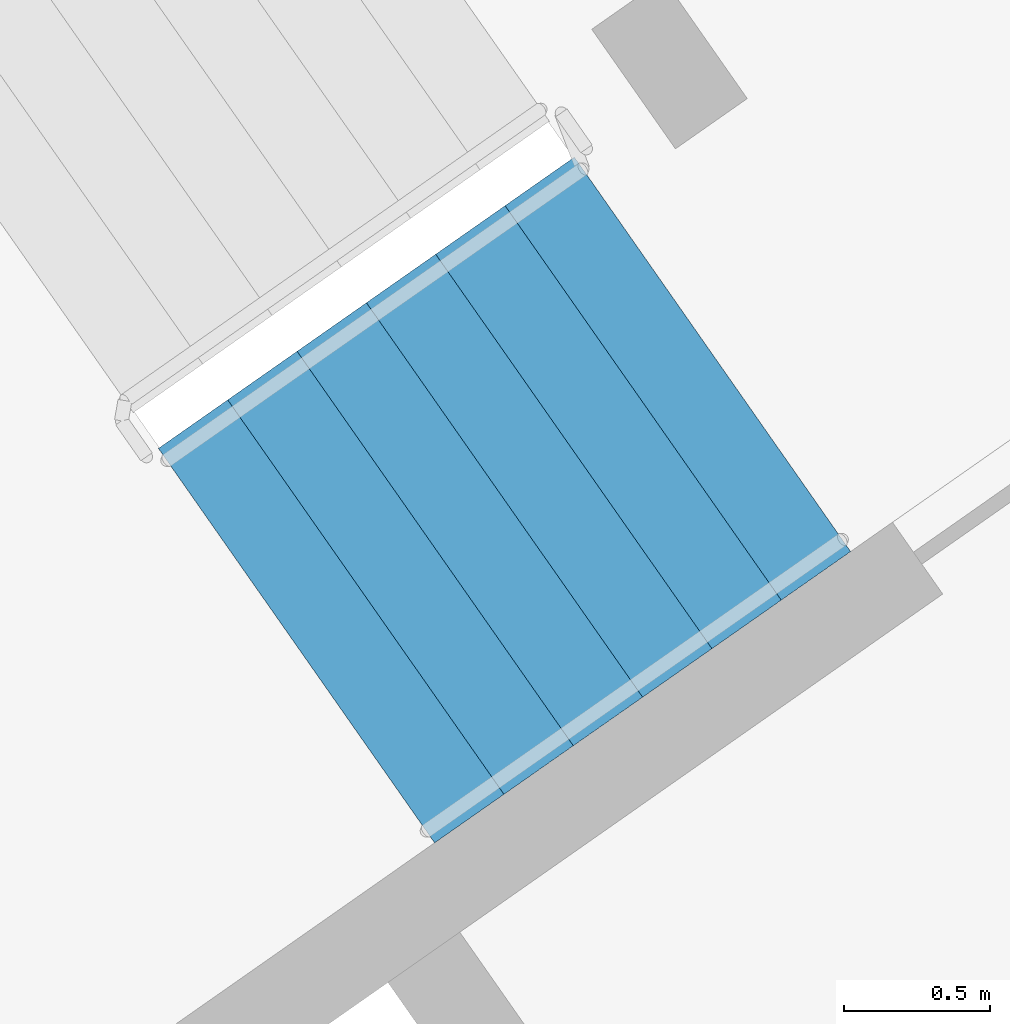
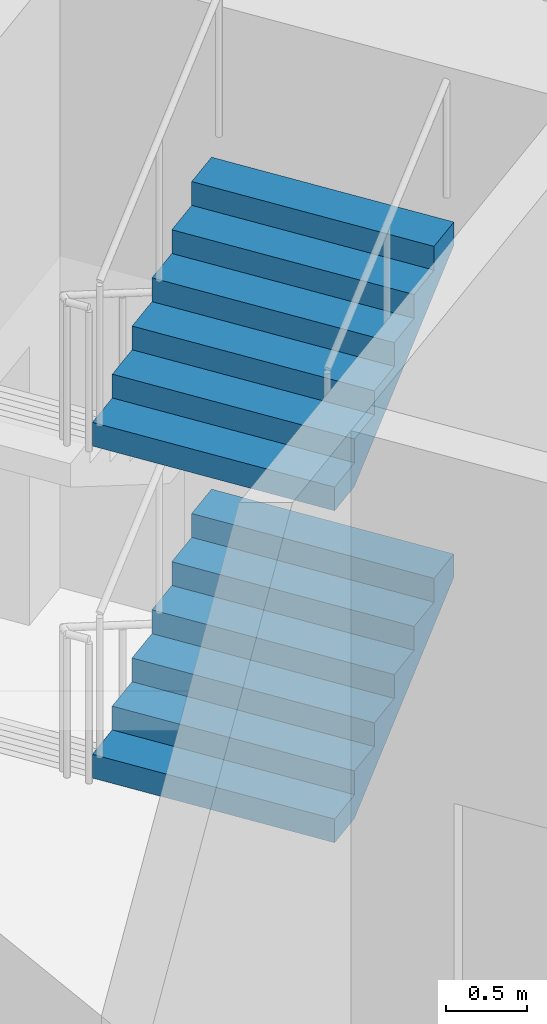
# One storey, part 17 of 25: 2 stair flights, 1 element without a shape of its own.
"""IFC4 building model written with IfcOpenShell, lengths in metres."""

import ifcopenshell
import ifcopenshell.guid

model = None  # the IFC model being written
_history = None  # IfcOwnerHistory: only IFC2X3 demands one
_inside = {}  # id of a spatial element -> (the spatial element, [elements in it])
_under = {}  # id of a project, library or spatial element -> (it, [spatial elements below it])
_declared = {}  # id of a project -> (the project, [libraries it declares])
_typed = {}  # id of a type object -> (the type object, [elements of that type])
_made_of = {}  # id of a material, layer set ... -> (it, [elements and type objects made of it])


def new_model(schema):
    """Start an empty IFC model of exactly this schema.

    Asked for "IFC4X3", IfcOpenShell would pick the latest addendum, in which some entities
    have other attributes; the version numbers below select the first issue.
    IFC2X3 requires an IfcOwnerHistory on every rooted entity: one is made here for all.
    """
    global model, _history
    if schema == "IFC4X3":
        model = ifcopenshell.file(schema_version=(4, 3, 0, 0))
    else:
        model = ifcopenshell.file(schema=schema)
    _inside.clear()
    _under.clear()
    _declared.clear()
    _typed.clear()
    _made_of.clear()
    _history = None
    if model.schema == "IFC2X3":
        org = make("IfcOrganization", Name="unknown")
        user = make(
            "IfcPersonAndOrganization",
            ThePerson=make("IfcPerson", FamilyName="unknown"),
            TheOrganization=org,
        )
        app = make(
            "IfcApplication",
            ApplicationDeveloper=org,
            Version="unknown",
            ApplicationFullName="unknown",
            ApplicationIdentifier="unknown",
        )
        _history = make(
            "IfcOwnerHistory",
            OwningUser=user,
            OwningApplication=app,
            ChangeAction="ADDED",
            CreationDate=0,
        )
    return model


def make(cls, **values):
    """One entity of the class cls with the attributes given. An attribute that is None is left unset."""
    return model.create_entity(
        cls, **{name: value for name, value in values.items() if value is not None}
    )


def rooted(cls, **values):
    """An entity with a GlobalId (a new one), such as an element, a storey or a relation."""
    return make(cls, GlobalId=ifcopenshell.guid.new(), OwnerHistory=_history, **values)


def si_unit(unit_type, name, prefix=None):
    """IfcSIUnit, for example si_unit("LENGTHUNIT", "METRE", prefix="MILLI")."""
    return make("IfcSIUnit", UnitType=unit_type, Prefix=prefix, Name=name)


def assignment(units):
    """IfcUnitAssignment: the units of a project."""
    return None if units is None else make("IfcUnitAssignment", Units=units)


def point(xyz):
    """IfcCartesianPoint."""
    return None if xyz is None else make("IfcCartesianPoint", Coordinates=xyz)


def direction(xyz):
    """IfcDirection."""
    return None if xyz is None else make("IfcDirection", DirectionRatios=xyz)


def frame(location, z_axis=None, x_axis=None):
    """IfcAxis2Placement3D, a coordinate frame: its origin and axes. An axis left out is left unset."""
    return make(
        "IfcAxis2Placement3D",
        Location=point(location),
        Axis=direction(z_axis),
        RefDirection=direction(x_axis),
    )


def origin():
    """The frame at (0, 0, 0) with its axes left unset."""
    return frame((0.0, 0.0, 0.0))


def place(relative_to, where):
    """IfcLocalPlacement: puts the frame where relative to a parent placement (None: the world)."""
    return make(
        "IfcLocalPlacement", PlacementRelTo=relative_to, RelativePlacement=where
    )


def context(
    kind, dimensions, precision=None, world=None, true_north=None, identifier=None
):
    """IfcGeometricRepresentationContext, for example the 3D "Model" context."""
    return make(
        "IfcGeometricRepresentationContext",
        ContextIdentifier=identifier,
        ContextType=kind,
        CoordinateSpaceDimension=dimensions,
        Precision=precision,
        WorldCoordinateSystem=world,
        TrueNorth=true_north,
    )


def subcontext(parent, identifier, kind, view, scale=None):
    """IfcGeometricRepresentationSubContext, for example "Body" below "Model"."""
    return make(
        "IfcGeometricRepresentationSubContext",
        ContextIdentifier=identifier,
        ContextType=kind,
        ParentContext=parent,
        TargetScale=scale,
        TargetView=view,
    )


def project(units=None, contexts=None):
    """IfcProject with its units and contexts."""
    return rooted(
        "IfcProject",
        Name="project",
        RepresentationContexts=contexts,
        UnitsInContext=assignment(units),
    )


def spatial(cls, under=None, at=None, **own):
    """A site, building, storey or space (cls), placed at a placement, below another one or the project."""
    s = rooted(cls, ObjectPlacement=at, **own)
    if under is not None:
        _under.setdefault(under.id(), (under, []))[1].append(s)
    return s


def faces_of(points, faces, orient=None, outer=None):
    """IfcFace entities. A face is a list of loops; a loop is a list of indices into points, from 0.

    orient and outer hold one flag for each loop. By default every Orientation is true, the
    first loop of a face is its IfcFaceOuterBound and the others are IfcFaceBound.
    """
    made = []
    for i, loops in enumerate(faces):
        bounds = []
        for j, loop in enumerate(loops):
            is_outer = j == 0 if outer is None else outer[i][j]
            bounds.append(
                make(
                    "IfcFaceOuterBound" if is_outer else "IfcFaceBound",
                    Bound=make("IfcPolyLoop", Polygon=[points[k] for k in loop]),
                    Orientation=True if orient is None else orient[i][j],
                )
            )
        made.append(make("IfcFace", Bounds=bounds))
    return made


def faceted_brep(points, faces, orient=None, outer=None, voids=None):
    """IfcFacetedBrep: a solid bounded by flat faces; with voids (closed shells), ...WithVoids."""
    shared = [point(p) for p in points]
    hull = make("IfcClosedShell", CfsFaces=faces_of(shared, faces, orient, outer))
    if voids is None:
        return make("IfcFacetedBrep", Outer=hull)
    return make(
        "IfcFacetedBrepWithVoids",
        Outer=hull,
        Voids=[
            make(cls, CfsFaces=faces_of(shared, fs, o, b)) for cls, fs, o, b in voids
        ],
    )


def shape(context_of_items, identifier, shape_type, items):
    """IfcShapeRepresentation: the items that make up one representation, for example the "Body"."""
    return make(
        "IfcShapeRepresentation",
        ContextOfItems=context_of_items,
        RepresentationIdentifier=identifier,
        RepresentationType=shape_type,
        Items=items,
    )


def material(Name=None, Category=None):
    """IfcMaterial."""
    return make("IfcMaterial", Name=Name, Category=Category)


def made_of(thing, what):
    """Note that an element or type object is made of a material, layer set ...; save() writes the relation."""
    if what is not None:
        _made_of.setdefault(what.id(), (what, []))[1].append(thing)
    return thing


def type_object(cls, material=None, **own):
    """A type object (cls), such as IfcWallType, which elements share."""
    return made_of(rooted(cls, **own), material)


def element(
    cls,
    number,
    at=None,
    inside=None,
    cuts=None,
    type_object=None,
    material=None,
    context=None,
    identifier="Body",
    shape_type=None,
    held_by="IfcProductDefinitionShape",
    body=None,
    shapes=None,
    **own,
):
    """One element of the class cls, such as IfcWall. Its Tag is "e" and its number.

    at: its placement. inside: the storey or other place that contains it. cuts: it is an
    opening in that element (IfcRelVoidsElement). A single representation is given by context,
    identifier, shape_type and body (its items); several are given by shapes. held_by: the class
    of the entity that holds the representations. save() writes the other relations.
    """
    e = rooted(cls, Tag="e%d" % number, ObjectPlacement=at, **own)
    if body is not None:
        shapes = [shape(context, identifier, shape_type, body)]
    if shapes is not None:
        e.Representation = make(held_by, Representations=shapes)
    if inside is not None:
        _inside.setdefault(inside.id(), (inside, []))[1].append(e)
    if cuts is not None:
        rooted(
            "IfcRelVoidsElement", RelatingBuildingElement=cuts, RelatedOpeningElement=e
        )
    if type_object is not None:
        _typed.setdefault(type_object.id(), (type_object, []))[1].append(e)
    return made_of(e, material)


def aggregate(whole, parts):
    """IfcRelAggregates: a whole, such as a stair, and the parts it consists of."""
    return rooted("IfcRelAggregates", RelatingObject=whole, RelatedObjects=parts)


def save(model, path):
    """Write the relations noted so far, then the file.

    IfcRelAggregates (storeys below a building ...), IfcRelContainedInSpatialStructure (elements
    in a storey), IfcRelDefinesByType, IfcRelAssociatesMaterial and IfcRelDeclares: one each for
    every whole, place, type object, material and project.
    """
    for whole, parts in _under.values():
        aggregate(whole, parts)
    for where, things in _inside.values():
        rooted(
            "IfcRelContainedInSpatialStructure",
            RelatedElements=things,
            RelatingStructure=where,
        )
    for kind, things in _typed.values():
        rooted("IfcRelDefinesByType", RelatedObjects=things, RelatingType=kind)
    for what, things in _made_of.values():
        rooted("IfcRelAssociatesMaterial", RelatedObjects=things, RelatingMaterial=what)
    for by, libraries in _declared.values():
        rooted("IfcRelDeclares", RelatingContext=by, RelatedDefinitions=libraries)
    model.write(path)


model = new_model("IFC4")

# Units and contexts
model_context = context("Model", 3, precision=1e-05, world=origin(), true_north=direction((0.0, 1.0)))
body_context = subcontext(model_context, "Body", "Model", "MODEL_VIEW")
ifc_project = project(units=[si_unit("LENGTHUNIT", "METRE"), si_unit("AREAUNIT", "SQUARE_METRE"), si_unit("VOLUMEUNIT", "CUBIC_METRE"), si_unit("PLANEANGLEUNIT", "RADIAN"), si_unit("MASSUNIT", "GRAM", prefix="KILO")], contexts=[model_context])

# Site, building, storey
site_placement = place(None, origin())
site = spatial("IfcSite", under=ifc_project, at=site_placement, CompositionType="ELEMENT")
building_placement = place(site_placement, origin())
building = spatial("IfcBuilding", under=site, at=building_placement, Name="Qamariyya Broadcast Tower", CompositionType="ELEMENT")
storey_placement = place(building_placement, frame((0.0, 0.0, 89.89990234375)))
storey = spatial("IfcBuildingStorey", under=building, at=storey_placement, Name="L19", CompositionType="ELEMENT", Elevation=89.89990234375)

# Stair, stair flights
ifc_material = material(Name="Concrete C50/60", Category="concrete")
stair_type = type_object("IfcStairType", Name="Exit stair 28 risers of 179 mm", PredefinedType="HALF_TURN_STAIR", material=ifc_material)
stair_placement = place(storey_placement, origin())
stair = element("IfcStair", 1, at=stair_placement, inside=storey, type_object=stair_type, Name="L19 Stair E2", PredefinedType="HALF_TURN_STAIR")
stair_flight_type = type_object("IfcStairFlightType", Name="Exit stair flight 7 risers of 179 mm", PredefinedType="STRAIGHT", material=ifc_material)
stair_flight_1_placement = place(storey_placement, frame((40.165771484375, -50.15771484375, 1.25), z_axis=(0.0, 0.0, 1.0), x_axis=(0.819152044289, 0.573576436351, 0.0)))
stair_flight_1 = element("IfcStairFlight", 2, at=stair_flight_1_placement, type_object=stair_flight_type, Name="ST-E2 flight 2", NumberOfRisers=7, NumberOfTreads=6, PredefinedType="STRAIGHT", RiserHeight=0.178571429, TreadLength=0.29, context=body_context, shape_type="Brep", body=[
    faceted_brep([(0.0, 0.824951171875, 0.0), (0.0, 0.824951171875, 0.178466796875), (0.2900390625, 0.824951171875, 0.178466796875), (0.2900390625, 0.824951171875, 0.357177734375), (0.580078125, 0.824951171875, 0.357177734375), (0.580078125, 0.824951171875, 0.53564453125), (0.8701171875, 0.824951171875, 0.53564453125), (0.8701171875, 0.824951171875, 0.71435546875), (1.159912109375, 0.824951171875, 0.71435546875), (1.159912109375, 0.824951171875, 0.892822265625), (1.449951171875, 0.824951171875, 0.892822265625), (1.449951171875, 0.824951171875, 1.071533203125), (1.739990234375, 0.824951171875, 1.071533203125), (1.739990234375, 0.824951171875, 0.8955078125), (0.285888671875, 0.824951171875, 0.0), (0.285888671875, -0.824951171875, 0.0), (1.739990234375, -0.824951171875, 0.8955078125), (1.739990234375, -0.824951171875, 1.071533203125), (1.449951171875, -0.824951171875, 1.071533203125), (1.449951171875, -0.824951171875, 0.892822265625), (1.159912109375, -0.824951171875, 0.892822265625), (1.159912109375, -0.824951171875, 0.71435546875), (0.8701171875, -0.824951171875, 0.71435546875), (0.8701171875, -0.824951171875, 0.53564453125), (0.580078125, -0.824951171875, 0.53564453125), (0.580078125, -0.824951171875, 0.357177734375), (0.2900390625, -0.824951171875, 0.357177734375), (0.2900390625, -0.824951171875, 0.178466796875), (0.0, -0.824951171875, 0.178466796875), (0.0, -0.824951171875, 0.0), (0.0, 0.10009765625, 0.0), (0.0, 0.086669921875, 0.0), (0.0, 0.0732421875, 0.0), (0.0, 0.06005859375, 0.0), (0.0, 0.046630859375, 0.0), (0.0, 0.033447265625, 0.0), (0.0, 0.02001953125, 0.0), (0.0, 0.006591796875, 0.0), (0.0, -0.006591796875, 0.0), (0.0, -0.02001953125, 0.0), (0.0, -0.033447265625, 0.0), (0.0, -0.046630859375, 0.0), (0.0, -0.06005859375, 0.0), (0.0, -0.0732421875, 0.0), (0.0, -0.086669921875, 0.0), (0.0, -0.10009765625, 0.0), (0.0, -0.10009765625, 0.178466796875), (0.0, -0.086669921875, 0.178466796875), (0.0, -0.0732421875, 0.178466796875), (0.0, -0.06005859375, 0.178466796875), (0.0, -0.046630859375, 0.178466796875), (0.0, -0.033447265625, 0.178466796875), (0.0, -0.02001953125, 0.178466796875), (0.0, -0.006591796875, 0.178466796875), (0.0, 0.006591796875, 0.178466796875), (0.0, 0.02001953125, 0.178466796875), (0.0, 0.033447265625, 0.178466796875), (0.0, 0.046630859375, 0.178466796875), (0.0, 0.06005859375, 0.178466796875), (0.0, 0.0732421875, 0.178466796875), (0.0, 0.086669921875, 0.178466796875), (0.0, 0.10009765625, 0.178466796875), (0.2900390625, -0.10009765625, 0.178466796875), (0.2900390625, -0.086669921875, 0.178466796875), (0.2900390625, -0.0732421875, 0.178466796875), (0.2900390625, -0.06005859375, 0.178466796875), (0.2900390625, -0.046630859375, 0.178466796875), (0.2900390625, -0.033447265625, 0.178466796875), (0.2900390625, -0.02001953125, 0.178466796875), (0.2900390625, -0.006591796875, 0.178466796875), (0.2900390625, 0.006591796875, 0.178466796875), (0.2900390625, 0.02001953125, 0.178466796875), (0.2900390625, 0.033447265625, 0.178466796875), (0.2900390625, 0.046630859375, 0.178466796875), (0.2900390625, 0.06005859375, 0.178466796875), (0.2900390625, 0.0732421875, 0.178466796875), (0.2900390625, 0.086669921875, 0.178466796875), (0.2900390625, 0.10009765625, 0.178466796875), (0.2900390625, -0.10009765625, 0.357177734375), (0.2900390625, -0.086669921875, 0.357177734375), (0.2900390625, -0.0732421875, 0.357177734375), (0.2900390625, -0.06005859375, 0.357177734375), (0.2900390625, -0.046630859375, 0.357177734375), (0.2900390625, -0.033447265625, 0.357177734375), (0.2900390625, -0.02001953125, 0.357177734375), (0.2900390625, -0.006591796875, 0.357177734375), (0.2900390625, 0.006591796875, 0.357177734375), (0.2900390625, 0.02001953125, 0.357177734375), (0.2900390625, 0.033447265625, 0.357177734375), (0.2900390625, 0.046630859375, 0.357177734375), (0.2900390625, 0.06005859375, 0.357177734375), (0.2900390625, 0.0732421875, 0.357177734375), (0.2900390625, 0.086669921875, 0.357177734375), (0.2900390625, 0.10009765625, 0.357177734375), (0.580078125, -0.10009765625, 0.357177734375), (0.580078125, -0.086669921875, 0.357177734375), (0.580078125, -0.0732421875, 0.357177734375), (0.580078125, -0.06005859375, 0.357177734375), (0.580078125, -0.046630859375, 0.357177734375), (0.580078125, -0.033447265625, 0.357177734375), (0.580078125, -0.02001953125, 0.357177734375), (0.580078125, -0.006591796875, 0.357177734375), (0.580078125, 0.006591796875, 0.357177734375), (0.580078125, 0.02001953125, 0.357177734375), (0.580078125, 0.033447265625, 0.357177734375), (0.580078125, 0.046630859375, 0.357177734375), (0.580078125, 0.06005859375, 0.357177734375), (0.580078125, 0.0732421875, 0.357177734375), (0.580078125, 0.086669921875, 0.357177734375), (0.580078125, 0.10009765625, 0.357177734375), (0.580078125, -0.10009765625, 0.53564453125), (0.580078125, -0.086669921875, 0.53564453125), (0.580078125, -0.0732421875, 0.53564453125), (0.580078125, -0.06005859375, 0.53564453125), (0.580078125, -0.046630859375, 0.53564453125), (0.580078125, -0.033447265625, 0.53564453125), (0.580078125, -0.02001953125, 0.53564453125), (0.580078125, -0.006591796875, 0.53564453125), (0.580078125, 0.006591796875, 0.53564453125), (0.580078125, 0.02001953125, 0.53564453125), (0.580078125, 0.033447265625, 0.53564453125), (0.580078125, 0.046630859375, 0.53564453125), (0.580078125, 0.06005859375, 0.53564453125), (0.580078125, 0.0732421875, 0.53564453125), (0.580078125, 0.086669921875, 0.53564453125), (0.580078125, 0.10009765625, 0.53564453125), (0.8701171875, -0.10009765625, 0.53564453125), (0.8701171875, -0.086669921875, 0.53564453125), (0.8701171875, -0.0732421875, 0.53564453125), (0.8701171875, -0.06005859375, 0.53564453125), (0.8701171875, -0.046630859375, 0.53564453125), (0.8701171875, -0.033447265625, 0.53564453125), (0.8701171875, -0.02001953125, 0.53564453125), (0.8701171875, -0.006591796875, 0.53564453125), (0.8701171875, 0.006591796875, 0.53564453125), (0.8701171875, 0.02001953125, 0.53564453125), (0.8701171875, 0.033447265625, 0.53564453125), (0.8701171875, 0.046630859375, 0.53564453125), (0.8701171875, 0.06005859375, 0.53564453125), (0.8701171875, 0.0732421875, 0.53564453125), (0.8701171875, 0.086669921875, 0.53564453125), (0.8701171875, 0.10009765625, 0.53564453125), (0.8701171875, -0.10009765625, 0.71435546875), (0.8701171875, -0.086669921875, 0.71435546875), (0.8701171875, -0.0732421875, 0.71435546875), (0.8701171875, -0.06005859375, 0.71435546875), (0.8701171875, -0.046630859375, 0.71435546875), (0.8701171875, -0.033447265625, 0.71435546875), (0.8701171875, -0.02001953125, 0.71435546875), (0.8701171875, -0.006591796875, 0.71435546875), (0.8701171875, 0.006591796875, 0.71435546875), (0.8701171875, 0.02001953125, 0.71435546875), (0.8701171875, 0.033447265625, 0.71435546875), (0.8701171875, 0.046630859375, 0.71435546875), (0.8701171875, 0.06005859375, 0.71435546875), (0.8701171875, 0.0732421875, 0.71435546875), (0.8701171875, 0.086669921875, 0.71435546875), (0.8701171875, 0.10009765625, 0.71435546875), (1.159912109375, -0.10009765625, 0.71435546875), (1.159912109375, -0.086669921875, 0.71435546875), (1.159912109375, -0.0732421875, 0.71435546875), (1.159912109375, -0.06005859375, 0.71435546875), (1.159912109375, -0.046630859375, 0.71435546875), (1.159912109375, -0.033447265625, 0.71435546875), (1.159912109375, -0.02001953125, 0.71435546875), (1.159912109375, -0.006591796875, 0.71435546875), (1.159912109375, 0.006591796875, 0.71435546875), (1.159912109375, 0.02001953125, 0.71435546875), (1.159912109375, 0.033447265625, 0.71435546875), (1.159912109375, 0.046630859375, 0.71435546875), (1.159912109375, 0.06005859375, 0.71435546875), (1.159912109375, 0.0732421875, 0.71435546875), (1.159912109375, 0.086669921875, 0.71435546875), (1.159912109375, 0.10009765625, 0.71435546875), (1.159912109375, -0.10009765625, 0.892822265625), (1.159912109375, -0.086669921875, 0.892822265625), (1.159912109375, -0.0732421875, 0.892822265625), (1.159912109375, -0.06005859375, 0.892822265625), (1.159912109375, -0.046630859375, 0.892822265625), (1.159912109375, -0.033447265625, 0.892822265625), (1.159912109375, -0.02001953125, 0.892822265625), (1.159912109375, -0.006591796875, 0.892822265625), (1.159912109375, 0.006591796875, 0.892822265625), (1.159912109375, 0.02001953125, 0.892822265625), (1.159912109375, 0.033447265625, 0.892822265625), (1.159912109375, 0.046630859375, 0.892822265625), (1.159912109375, 0.06005859375, 0.892822265625), (1.159912109375, 0.0732421875, 0.892822265625), (1.159912109375, 0.086669921875, 0.892822265625), (1.159912109375, 0.10009765625, 0.892822265625), (1.449951171875, -0.10009765625, 0.892822265625), (1.449951171875, -0.086669921875, 0.892822265625), (1.449951171875, -0.0732421875, 0.892822265625), (1.449951171875, -0.06005859375, 0.892822265625), (1.449951171875, -0.046630859375, 0.892822265625), (1.449951171875, -0.033447265625, 0.892822265625), (1.449951171875, -0.02001953125, 0.892822265625), (1.449951171875, -0.006591796875, 0.892822265625), (1.449951171875, 0.006591796875, 0.892822265625), (1.449951171875, 0.02001953125, 0.892822265625), (1.449951171875, 0.033447265625, 0.892822265625), (1.449951171875, 0.046630859375, 0.892822265625), (1.449951171875, 0.06005859375, 0.892822265625), (1.449951171875, 0.0732421875, 0.892822265625), (1.449951171875, 0.086669921875, 0.892822265625), (1.449951171875, 0.10009765625, 0.892822265625), (1.449951171875, -0.10009765625, 1.071533203125), (1.449951171875, -0.086669921875, 1.071533203125), (1.449951171875, -0.0732421875, 1.071533203125), (1.449951171875, -0.06005859375, 1.071533203125), (1.449951171875, -0.046630859375, 1.071533203125), (1.449951171875, -0.033447265625, 1.071533203125), (1.449951171875, -0.02001953125, 1.071533203125), (1.449951171875, -0.006591796875, 1.071533203125), (1.449951171875, 0.006591796875, 1.071533203125), (1.449951171875, 0.02001953125, 1.071533203125), (1.449951171875, 0.033447265625, 1.071533203125), (1.449951171875, 0.046630859375, 1.071533203125), (1.449951171875, 0.06005859375, 1.071533203125), (1.449951171875, 0.0732421875, 1.071533203125), (1.449951171875, 0.086669921875, 1.071533203125), (1.449951171875, 0.10009765625, 1.071533203125), (1.739990234375, -0.10009765625, 1.071533203125), (1.739990234375, -0.086669921875, 1.071533203125), (1.739990234375, -0.0732421875, 1.071533203125), (1.739990234375, -0.06005859375, 1.071533203125), (1.739990234375, -0.046630859375, 1.071533203125), (1.739990234375, -0.033447265625, 1.071533203125), (1.739990234375, -0.02001953125, 1.071533203125), (1.739990234375, -0.006591796875, 1.071533203125), (1.739990234375, 0.006591796875, 1.071533203125), (1.739990234375, 0.02001953125, 1.071533203125), (1.739990234375, 0.033447265625, 1.071533203125), (1.739990234375, 0.046630859375, 1.071533203125), (1.739990234375, 0.06005859375, 1.071533203125), (1.739990234375, 0.0732421875, 1.071533203125), (1.739990234375, 0.086669921875, 1.071533203125), (1.739990234375, 0.10009765625, 1.071533203125), (1.739990234375, -0.10009765625, 0.8955078125), (1.739990234375, -0.086669921875, 0.8955078125), (1.739990234375, -0.0732421875, 0.8955078125), (1.739990234375, -0.06005859375, 0.8955078125), (1.739990234375, -0.046630859375, 0.8955078125), (1.739990234375, -0.033447265625, 0.8955078125), (1.739990234375, -0.02001953125, 0.8955078125), (1.739990234375, -0.006591796875, 0.8955078125), (1.739990234375, 0.006591796875, 0.8955078125), (1.739990234375, 0.02001953125, 0.8955078125), (1.739990234375, 0.033447265625, 0.8955078125), (1.739990234375, 0.046630859375, 0.8955078125), (1.739990234375, 0.06005859375, 0.8955078125), (1.739990234375, 0.0732421875, 0.8955078125), (1.739990234375, 0.086669921875, 0.8955078125), (1.739990234375, 0.10009765625, 0.8955078125), (0.285888671875, -0.10009765625, 0.0), (0.285888671875, -0.086669921875, 0.0), (0.285888671875, -0.0732421875, 0.0), (0.285888671875, -0.06005859375, 0.0), (0.285888671875, -0.046630859375, 0.0), (0.285888671875, -0.033447265625, 0.0), (0.285888671875, -0.02001953125, 0.0), (0.285888671875, -0.006591796875, 0.0), (0.285888671875, 0.006591796875, 0.0), (0.285888671875, 0.02001953125, 0.0), (0.285888671875, 0.033447265625, 0.0), (0.285888671875, 0.046630859375, 0.0), (0.285888671875, 0.06005859375, 0.0), (0.285888671875, 0.0732421875, 0.0), (0.285888671875, 0.086669921875, 0.0), (0.285888671875, 0.10009765625, 0.0)], [[[0, 1, 2, 3, 4, 5, 6, 7, 8, 9, 10, 11, 12, 13, 14]], [[15, 16, 17, 18, 19, 20, 21, 22, 23, 24, 25, 26, 27, 28, 29]], [[0, 30, 31, 32, 33, 34, 35, 36, 37, 38, 39, 40, 41, 42, 43, 44, 45, 29, 28, 46, 47, 48, 49, 50, 51, 52, 53, 54, 55, 56, 57, 58, 59, 60, 61, 1]], [[1, 61, 60, 59, 58, 57, 56, 55, 54, 53, 52, 51, 50, 49, 48, 47, 46, 28, 27, 62, 63, 64, 65, 66, 67, 68, 69, 70, 71, 72, 73, 74, 75, 76, 77, 2]], [[2, 77, 76, 75, 74, 73, 72, 71, 70, 69, 68, 67, 66, 65, 64, 63, 62, 27, 26, 78, 79, 80, 81, 82, 83, 84, 85, 86, 87, 88, 89, 90, 91, 92, 93, 3]], [[3, 93, 92, 91, 90, 89, 88, 87, 86, 85, 84, 83, 82, 81, 80, 79, 78, 26, 25, 94, 95, 96, 97, 98, 99, 100, 101, 102, 103, 104, 105, 106, 107, 108, 109, 4]], [[4, 109, 108, 107, 106, 105, 104, 103, 102, 101, 100, 99, 98, 97, 96, 95, 94, 25, 24, 110, 111, 112, 113, 114, 115, 116, 117, 118, 119, 120, 121, 122, 123, 124, 125, 5]], [[5, 125, 124, 123, 122, 121, 120, 119, 118, 117, 116, 115, 114, 113, 112, 111, 110, 24, 23, 126, 127, 128, 129, 130, 131, 132, 133, 134, 135, 136, 137, 138, 139, 140, 141, 6]], [[6, 141, 140, 139, 138, 137, 136, 135, 134, 133, 132, 131, 130, 129, 128, 127, 126, 23, 22, 142, 143, 144, 145, 146, 147, 148, 149, 150, 151, 152, 153, 154, 155, 156, 157, 7]], [[7, 157, 156, 155, 154, 153, 152, 151, 150, 149, 148, 147, 146, 145, 144, 143, 142, 22, 21, 158, 159, 160, 161, 162, 163, 164, 165, 166, 167, 168, 169, 170, 171, 172, 173, 8]], [[8, 173, 172, 171, 170, 169, 168, 167, 166, 165, 164, 163, 162, 161, 160, 159, 158, 21, 20, 174, 175, 176, 177, 178, 179, 180, 181, 182, 183, 184, 185, 186, 187, 188, 189, 9]], [[9, 189, 188, 187, 186, 185, 184, 183, 182, 181, 180, 179, 178, 177, 176, 175, 174, 20, 19, 190, 191, 192, 193, 194, 195, 196, 197, 198, 199, 200, 201, 202, 203, 204, 205, 10]], [[10, 205, 204, 203, 202, 201, 200, 199, 198, 197, 196, 195, 194, 193, 192, 191, 190, 19, 18, 206, 207, 208, 209, 210, 211, 212, 213, 214, 215, 216, 217, 218, 219, 220, 221, 11]], [[11, 221, 220, 219, 218, 217, 216, 215, 214, 213, 212, 211, 210, 209, 208, 207, 206, 18, 17, 222, 223, 224, 225, 226, 227, 228, 229, 230, 231, 232, 233, 234, 235, 236, 237, 12]], [[12, 237, 236, 235, 234, 233, 232, 231, 230, 229, 228, 227, 226, 225, 224, 223, 222, 17, 16, 238, 239, 240, 241, 242, 243, 244, 245, 246, 247, 248, 249, 250, 251, 252, 253, 13]], [[13, 253, 252, 251, 250, 249, 248, 247, 246, 245, 244, 243, 242, 241, 240, 239, 238, 16, 15, 254, 255, 256, 257, 258, 259, 260, 261, 262, 263, 264, 265, 266, 267, 268, 269, 14]], [[14, 269, 268, 267, 266, 265, 264, 263, 262, 261, 260, 259, 258, 257, 256, 255, 254, 15, 29, 45, 44, 43, 42, 41, 40, 39, 38, 37, 36, 35, 34, 33, 32, 31, 30, 0]]]),
])
stair_flight_2_placement = place(storey_placement, frame((40.165771484375, -50.15771484375, 3.75), z_axis=(0.0, 0.0, 1.0), x_axis=(0.819152044289, 0.573576436351, 0.0)))
stair_flight_2 = element("IfcStairFlight", 3, at=stair_flight_2_placement, type_object=stair_flight_type, Name="ST-E2 flight 4", NumberOfRisers=7, NumberOfTreads=6, PredefinedType="STRAIGHT", RiserHeight=0.178571429, TreadLength=0.29, context=body_context, shape_type="Brep", body=[
    faceted_brep([(0.0, 0.824951171875, 0.0), (0.0, 0.824951171875, 0.178466796875), (0.2900390625, 0.824951171875, 0.178466796875), (0.2900390625, 0.824951171875, 0.357177734375), (0.580078125, 0.824951171875, 0.357177734375), (0.580078125, 0.824951171875, 0.53564453125), (0.8701171875, 0.824951171875, 0.53564453125), (0.8701171875, 0.824951171875, 0.71435546875), (1.159912109375, 0.824951171875, 0.71435546875), (1.159912109375, 0.824951171875, 0.892822265625), (1.449951171875, 0.824951171875, 0.892822265625), (1.449951171875, 0.824951171875, 1.071533203125), (1.739990234375, 0.824951171875, 1.071533203125), (1.739990234375, 0.824951171875, 0.8955078125), (0.285888671875, 0.824951171875, 0.0), (0.285888671875, -0.824951171875, 0.0), (1.739990234375, -0.824951171875, 0.8955078125), (1.739990234375, -0.824951171875, 1.071533203125), (1.449951171875, -0.824951171875, 1.071533203125), (1.449951171875, -0.824951171875, 0.892822265625), (1.159912109375, -0.824951171875, 0.892822265625), (1.159912109375, -0.824951171875, 0.71435546875), (0.8701171875, -0.824951171875, 0.71435546875), (0.8701171875, -0.824951171875, 0.53564453125), (0.580078125, -0.824951171875, 0.53564453125), (0.580078125, -0.824951171875, 0.357177734375), (0.2900390625, -0.824951171875, 0.357177734375), (0.2900390625, -0.824951171875, 0.178466796875), (0.0, -0.824951171875, 0.178466796875), (0.0, -0.824951171875, 0.0), (0.0, 0.10009765625, 0.0), (0.0, 0.086669921875, 0.0), (0.0, 0.0732421875, 0.0), (0.0, 0.06005859375, 0.0), (0.0, 0.046630859375, 0.0), (0.0, 0.033447265625, 0.0), (0.0, 0.02001953125, 0.0), (0.0, 0.006591796875, 0.0), (0.0, -0.006591796875, 0.0), (0.0, -0.02001953125, 0.0), (0.0, -0.033447265625, 0.0), (0.0, -0.046630859375, 0.0), (0.0, -0.06005859375, 0.0), (0.0, -0.0732421875, 0.0), (0.0, -0.086669921875, 0.0), (0.0, -0.10009765625, 0.0), (0.0, -0.10009765625, 0.178466796875), (0.0, -0.086669921875, 0.178466796875), (0.0, -0.0732421875, 0.178466796875), (0.0, -0.06005859375, 0.178466796875), (0.0, -0.046630859375, 0.178466796875), (0.0, -0.033447265625, 0.178466796875), (0.0, -0.02001953125, 0.178466796875), (0.0, -0.006591796875, 0.178466796875), (0.0, 0.006591796875, 0.178466796875), (0.0, 0.02001953125, 0.178466796875), (0.0, 0.033447265625, 0.178466796875), (0.0, 0.046630859375, 0.178466796875), (0.0, 0.06005859375, 0.178466796875), (0.0, 0.0732421875, 0.178466796875), (0.0, 0.086669921875, 0.178466796875), (0.0, 0.10009765625, 0.178466796875), (0.2900390625, -0.10009765625, 0.178466796875), (0.2900390625, -0.086669921875, 0.178466796875), (0.2900390625, -0.0732421875, 0.178466796875), (0.2900390625, -0.06005859375, 0.178466796875), (0.2900390625, -0.046630859375, 0.178466796875), (0.2900390625, -0.033447265625, 0.178466796875), (0.2900390625, -0.02001953125, 0.178466796875), (0.2900390625, -0.006591796875, 0.178466796875), (0.2900390625, 0.006591796875, 0.178466796875), (0.2900390625, 0.02001953125, 0.178466796875), (0.2900390625, 0.033447265625, 0.178466796875), (0.2900390625, 0.046630859375, 0.178466796875), (0.2900390625, 0.06005859375, 0.178466796875), (0.2900390625, 0.0732421875, 0.178466796875), (0.2900390625, 0.086669921875, 0.178466796875), (0.2900390625, 0.10009765625, 0.178466796875), (0.2900390625, -0.10009765625, 0.357177734375), (0.2900390625, -0.086669921875, 0.357177734375), (0.2900390625, -0.0732421875, 0.357177734375), (0.2900390625, -0.06005859375, 0.357177734375), (0.2900390625, -0.046630859375, 0.357177734375), (0.2900390625, -0.033447265625, 0.357177734375), (0.2900390625, -0.02001953125, 0.357177734375), (0.2900390625, -0.006591796875, 0.357177734375), (0.2900390625, 0.006591796875, 0.357177734375), (0.2900390625, 0.02001953125, 0.357177734375), (0.2900390625, 0.033447265625, 0.357177734375), (0.2900390625, 0.046630859375, 0.357177734375), (0.2900390625, 0.06005859375, 0.357177734375), (0.2900390625, 0.0732421875, 0.357177734375), (0.2900390625, 0.086669921875, 0.357177734375), (0.2900390625, 0.10009765625, 0.357177734375), (0.580078125, -0.10009765625, 0.357177734375), (0.580078125, -0.086669921875, 0.357177734375), (0.580078125, -0.0732421875, 0.357177734375), (0.580078125, -0.06005859375, 0.357177734375), (0.580078125, -0.046630859375, 0.357177734375), (0.580078125, -0.033447265625, 0.357177734375), (0.580078125, -0.02001953125, 0.357177734375), (0.580078125, -0.006591796875, 0.357177734375), (0.580078125, 0.006591796875, 0.357177734375), (0.580078125, 0.02001953125, 0.357177734375), (0.580078125, 0.033447265625, 0.357177734375), (0.580078125, 0.046630859375, 0.357177734375), (0.580078125, 0.06005859375, 0.357177734375), (0.580078125, 0.0732421875, 0.357177734375), (0.580078125, 0.086669921875, 0.357177734375), (0.580078125, 0.10009765625, 0.357177734375), (0.580078125, -0.10009765625, 0.53564453125), (0.580078125, -0.086669921875, 0.53564453125), (0.580078125, -0.0732421875, 0.53564453125), (0.580078125, -0.06005859375, 0.53564453125), (0.580078125, -0.046630859375, 0.53564453125), (0.580078125, -0.033447265625, 0.53564453125), (0.580078125, -0.02001953125, 0.53564453125), (0.580078125, -0.006591796875, 0.53564453125), (0.580078125, 0.006591796875, 0.53564453125), (0.580078125, 0.02001953125, 0.53564453125), (0.580078125, 0.033447265625, 0.53564453125), (0.580078125, 0.046630859375, 0.53564453125), (0.580078125, 0.06005859375, 0.53564453125), (0.580078125, 0.0732421875, 0.53564453125), (0.580078125, 0.086669921875, 0.53564453125), (0.580078125, 0.10009765625, 0.53564453125), (0.8701171875, -0.10009765625, 0.53564453125), (0.8701171875, -0.086669921875, 0.53564453125), (0.8701171875, -0.0732421875, 0.53564453125), (0.8701171875, -0.06005859375, 0.53564453125), (0.8701171875, -0.046630859375, 0.53564453125), (0.8701171875, -0.033447265625, 0.53564453125), (0.8701171875, -0.02001953125, 0.53564453125), (0.8701171875, -0.006591796875, 0.53564453125), (0.8701171875, 0.006591796875, 0.53564453125), (0.8701171875, 0.02001953125, 0.53564453125), (0.8701171875, 0.033447265625, 0.53564453125), (0.8701171875, 0.046630859375, 0.53564453125), (0.8701171875, 0.06005859375, 0.53564453125), (0.8701171875, 0.0732421875, 0.53564453125), (0.8701171875, 0.086669921875, 0.53564453125), (0.8701171875, 0.10009765625, 0.53564453125), (0.8701171875, -0.10009765625, 0.71435546875), (0.8701171875, -0.086669921875, 0.71435546875), (0.8701171875, -0.0732421875, 0.71435546875), (0.8701171875, -0.06005859375, 0.71435546875), (0.8701171875, -0.046630859375, 0.71435546875), (0.8701171875, -0.033447265625, 0.71435546875), (0.8701171875, -0.02001953125, 0.71435546875), (0.8701171875, -0.006591796875, 0.71435546875), (0.8701171875, 0.006591796875, 0.71435546875), (0.8701171875, 0.02001953125, 0.71435546875), (0.8701171875, 0.033447265625, 0.71435546875), (0.8701171875, 0.046630859375, 0.71435546875), (0.8701171875, 0.06005859375, 0.71435546875), (0.8701171875, 0.0732421875, 0.71435546875), (0.8701171875, 0.086669921875, 0.71435546875), (0.8701171875, 0.10009765625, 0.71435546875), (1.159912109375, -0.10009765625, 0.71435546875), (1.159912109375, -0.086669921875, 0.71435546875), (1.159912109375, -0.0732421875, 0.71435546875), (1.159912109375, -0.06005859375, 0.71435546875), (1.159912109375, -0.046630859375, 0.71435546875), (1.159912109375, -0.033447265625, 0.71435546875), (1.159912109375, -0.02001953125, 0.71435546875), (1.159912109375, -0.006591796875, 0.71435546875), (1.159912109375, 0.006591796875, 0.71435546875), (1.159912109375, 0.02001953125, 0.71435546875), (1.159912109375, 0.033447265625, 0.71435546875), (1.159912109375, 0.046630859375, 0.71435546875), (1.159912109375, 0.06005859375, 0.71435546875), (1.159912109375, 0.0732421875, 0.71435546875), (1.159912109375, 0.086669921875, 0.71435546875), (1.159912109375, 0.10009765625, 0.71435546875), (1.159912109375, -0.10009765625, 0.892822265625), (1.159912109375, -0.086669921875, 0.892822265625), (1.159912109375, -0.0732421875, 0.892822265625), (1.159912109375, -0.06005859375, 0.892822265625), (1.159912109375, -0.046630859375, 0.892822265625), (1.159912109375, -0.033447265625, 0.892822265625), (1.159912109375, -0.02001953125, 0.892822265625), (1.159912109375, -0.006591796875, 0.892822265625), (1.159912109375, 0.006591796875, 0.892822265625), (1.159912109375, 0.02001953125, 0.892822265625), (1.159912109375, 0.033447265625, 0.892822265625), (1.159912109375, 0.046630859375, 0.892822265625), (1.159912109375, 0.06005859375, 0.892822265625), (1.159912109375, 0.0732421875, 0.892822265625), (1.159912109375, 0.086669921875, 0.892822265625), (1.159912109375, 0.10009765625, 0.892822265625), (1.449951171875, -0.10009765625, 0.892822265625), (1.449951171875, -0.086669921875, 0.892822265625), (1.449951171875, -0.0732421875, 0.892822265625), (1.449951171875, -0.06005859375, 0.892822265625), (1.449951171875, -0.046630859375, 0.892822265625), (1.449951171875, -0.033447265625, 0.892822265625), (1.449951171875, -0.02001953125, 0.892822265625), (1.449951171875, -0.006591796875, 0.892822265625), (1.449951171875, 0.006591796875, 0.892822265625), (1.449951171875, 0.02001953125, 0.892822265625), (1.449951171875, 0.033447265625, 0.892822265625), (1.449951171875, 0.046630859375, 0.892822265625), (1.449951171875, 0.06005859375, 0.892822265625), (1.449951171875, 0.0732421875, 0.892822265625), (1.449951171875, 0.086669921875, 0.892822265625), (1.449951171875, 0.10009765625, 0.892822265625), (1.449951171875, -0.10009765625, 1.071533203125), (1.449951171875, -0.086669921875, 1.071533203125), (1.449951171875, -0.0732421875, 1.071533203125), (1.449951171875, -0.06005859375, 1.071533203125), (1.449951171875, -0.046630859375, 1.071533203125), (1.449951171875, -0.033447265625, 1.071533203125), (1.449951171875, -0.02001953125, 1.071533203125), (1.449951171875, -0.006591796875, 1.071533203125), (1.449951171875, 0.006591796875, 1.071533203125), (1.449951171875, 0.02001953125, 1.071533203125), (1.449951171875, 0.033447265625, 1.071533203125), (1.449951171875, 0.046630859375, 1.071533203125), (1.449951171875, 0.06005859375, 1.071533203125), (1.449951171875, 0.0732421875, 1.071533203125), (1.449951171875, 0.086669921875, 1.071533203125), (1.449951171875, 0.10009765625, 1.071533203125), (1.739990234375, -0.10009765625, 1.071533203125), (1.739990234375, -0.086669921875, 1.071533203125), (1.739990234375, -0.0732421875, 1.071533203125), (1.739990234375, -0.06005859375, 1.071533203125), (1.739990234375, -0.046630859375, 1.071533203125), (1.739990234375, -0.033447265625, 1.071533203125), (1.739990234375, -0.02001953125, 1.071533203125), (1.739990234375, -0.006591796875, 1.071533203125), (1.739990234375, 0.006591796875, 1.071533203125), (1.739990234375, 0.02001953125, 1.071533203125), (1.739990234375, 0.033447265625, 1.071533203125), (1.739990234375, 0.046630859375, 1.071533203125), (1.739990234375, 0.06005859375, 1.071533203125), (1.739990234375, 0.0732421875, 1.071533203125), (1.739990234375, 0.086669921875, 1.071533203125), (1.739990234375, 0.10009765625, 1.071533203125), (1.739990234375, -0.10009765625, 0.8955078125), (1.739990234375, -0.086669921875, 0.8955078125), (1.739990234375, -0.0732421875, 0.8955078125), (1.739990234375, -0.06005859375, 0.8955078125), (1.739990234375, -0.046630859375, 0.8955078125), (1.739990234375, -0.033447265625, 0.8955078125), (1.739990234375, -0.02001953125, 0.8955078125), (1.739990234375, -0.006591796875, 0.8955078125), (1.739990234375, 0.006591796875, 0.8955078125), (1.739990234375, 0.02001953125, 0.8955078125), (1.739990234375, 0.033447265625, 0.8955078125), (1.739990234375, 0.046630859375, 0.8955078125), (1.739990234375, 0.06005859375, 0.8955078125), (1.739990234375, 0.0732421875, 0.8955078125), (1.739990234375, 0.086669921875, 0.8955078125), (1.739990234375, 0.10009765625, 0.8955078125), (0.285888671875, -0.10009765625, 0.0), (0.285888671875, -0.086669921875, 0.0), (0.285888671875, -0.0732421875, 0.0), (0.285888671875, -0.06005859375, 0.0), (0.285888671875, -0.046630859375, 0.0), (0.285888671875, -0.033447265625, 0.0), (0.285888671875, -0.02001953125, 0.0), (0.285888671875, -0.006591796875, 0.0), (0.285888671875, 0.006591796875, 0.0), (0.285888671875, 0.02001953125, 0.0), (0.285888671875, 0.033447265625, 0.0), (0.285888671875, 0.046630859375, 0.0), (0.285888671875, 0.06005859375, 0.0), (0.285888671875, 0.0732421875, 0.0), (0.285888671875, 0.086669921875, 0.0), (0.285888671875, 0.10009765625, 0.0)], [[[0, 1, 2, 3, 4, 5, 6, 7, 8, 9, 10, 11, 12, 13, 14]], [[15, 16, 17, 18, 19, 20, 21, 22, 23, 24, 25, 26, 27, 28, 29]], [[0, 30, 31, 32, 33, 34, 35, 36, 37, 38, 39, 40, 41, 42, 43, 44, 45, 29, 28, 46, 47, 48, 49, 50, 51, 52, 53, 54, 55, 56, 57, 58, 59, 60, 61, 1]], [[1, 61, 60, 59, 58, 57, 56, 55, 54, 53, 52, 51, 50, 49, 48, 47, 46, 28, 27, 62, 63, 64, 65, 66, 67, 68, 69, 70, 71, 72, 73, 74, 75, 76, 77, 2]], [[2, 77, 76, 75, 74, 73, 72, 71, 70, 69, 68, 67, 66, 65, 64, 63, 62, 27, 26, 78, 79, 80, 81, 82, 83, 84, 85, 86, 87, 88, 89, 90, 91, 92, 93, 3]], [[3, 93, 92, 91, 90, 89, 88, 87, 86, 85, 84, 83, 82, 81, 80, 79, 78, 26, 25, 94, 95, 96, 97, 98, 99, 100, 101, 102, 103, 104, 105, 106, 107, 108, 109, 4]], [[4, 109, 108, 107, 106, 105, 104, 103, 102, 101, 100, 99, 98, 97, 96, 95, 94, 25, 24, 110, 111, 112, 113, 114, 115, 116, 117, 118, 119, 120, 121, 122, 123, 124, 125, 5]], [[5, 125, 124, 123, 122, 121, 120, 119, 118, 117, 116, 115, 114, 113, 112, 111, 110, 24, 23, 126, 127, 128, 129, 130, 131, 132, 133, 134, 135, 136, 137, 138, 139, 140, 141, 6]], [[6, 141, 140, 139, 138, 137, 136, 135, 134, 133, 132, 131, 130, 129, 128, 127, 126, 23, 22, 142, 143, 144, 145, 146, 147, 148, 149, 150, 151, 152, 153, 154, 155, 156, 157, 7]], [[7, 157, 156, 155, 154, 153, 152, 151, 150, 149, 148, 147, 146, 145, 144, 143, 142, 22, 21, 158, 159, 160, 161, 162, 163, 164, 165, 166, 167, 168, 169, 170, 171, 172, 173, 8]], [[8, 173, 172, 171, 170, 169, 168, 167, 166, 165, 164, 163, 162, 161, 160, 159, 158, 21, 20, 174, 175, 176, 177, 178, 179, 180, 181, 182, 183, 184, 185, 186, 187, 188, 189, 9]], [[9, 189, 188, 187, 186, 185, 184, 183, 182, 181, 180, 179, 178, 177, 176, 175, 174, 20, 19, 190, 191, 192, 193, 194, 195, 196, 197, 198, 199, 200, 201, 202, 203, 204, 205, 10]], [[10, 205, 204, 203, 202, 201, 200, 199, 198, 197, 196, 195, 194, 193, 192, 191, 190, 19, 18, 206, 207, 208, 209, 210, 211, 212, 213, 214, 215, 216, 217, 218, 219, 220, 221, 11]], [[11, 221, 220, 219, 218, 217, 216, 215, 214, 213, 212, 211, 210, 209, 208, 207, 206, 18, 17, 222, 223, 224, 225, 226, 227, 228, 229, 230, 231, 232, 233, 234, 235, 236, 237, 12]], [[12, 237, 236, 235, 234, 233, 232, 231, 230, 229, 228, 227, 226, 225, 224, 223, 222, 17, 16, 238, 239, 240, 241, 242, 243, 244, 245, 246, 247, 248, 249, 250, 251, 252, 253, 13]], [[13, 253, 252, 251, 250, 249, 248, 247, 246, 245, 244, 243, 242, 241, 240, 239, 238, 16, 15, 254, 255, 256, 257, 258, 259, 260, 261, 262, 263, 264, 265, 266, 267, 268, 269, 14]], [[14, 269, 268, 267, 266, 265, 264, 263, 262, 261, 260, 259, 258, 257, 256, 255, 254, 15, 29, 45, 44, 43, 42, 41, 40, 39, 38, 37, 36, 35, 34, 33, 32, 31, 30, 0]]]),
])
aggregate(stair, [stair_flight_1, stair_flight_2])

save(model, "model.ifc")
